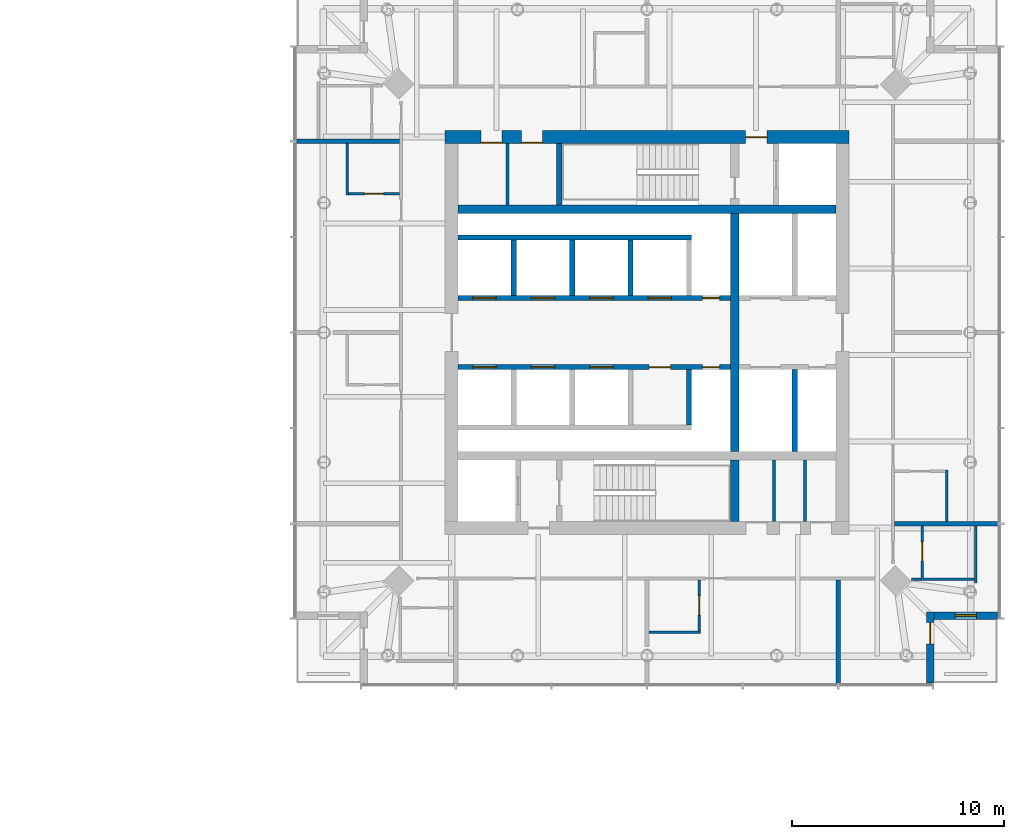
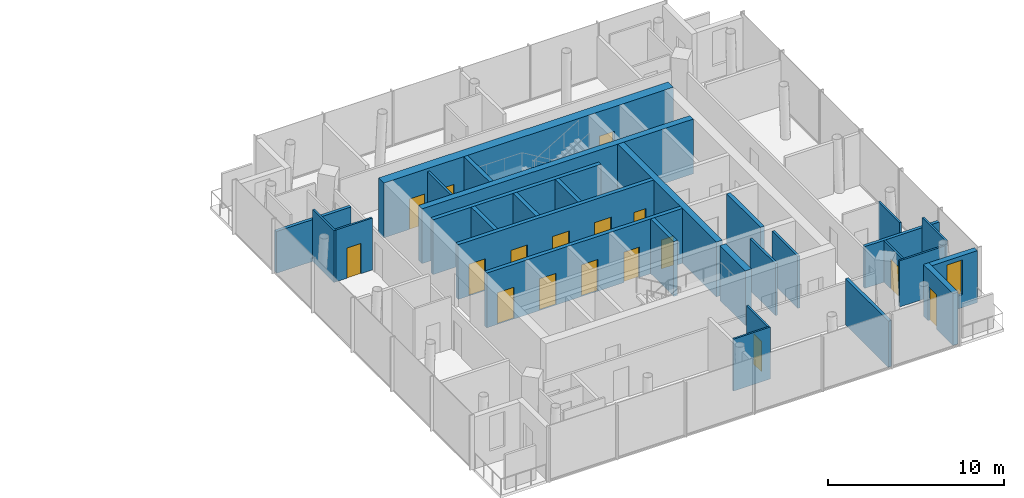
# One storey, part 14 of 20: 29 walls, 17 doors, 1 window, 18 openings.
"""IFC4 building model written with IfcOpenShell, lengths in metres."""

from ifc_helpers import new_model, si_unit, direction, frame, frame_2d, origin, place, context, subcontext, project, spatial, rectangle, extrude, material, layer, layer_set, type_object, element, fill, save


model = new_model("IFC4")

# Units and contexts
model_context = context("Model", 3, precision=1e-05, world=origin(), true_north=direction((0.0, 1.0)))
body_context = subcontext(model_context, "Body", "Model", "MODEL_VIEW")
ifc_project = project(units=[si_unit("LENGTHUNIT", "METRE"), si_unit("AREAUNIT", "SQUARE_METRE"), si_unit("VOLUMEUNIT", "CUBIC_METRE"), si_unit("PLANEANGLEUNIT", "RADIAN"), si_unit("MASSUNIT", "GRAM", prefix="KILO")], contexts=[model_context])

# Site, building, storey
site_placement = place(None, origin())
site = spatial("IfcSite", under=ifc_project, at=site_placement, CompositionType="ELEMENT")
building_placement = place(site_placement, origin())
building = spatial("IfcBuilding", under=site, at=building_placement, Name="Ostroluk Exchange", CompositionType="ELEMENT")
storey_placement = place(building_placement, frame((0.0, 0.0, 108.39990234375)))
storey = spatial("IfcBuildingStorey", under=building, at=storey_placement, Name="L27", CompositionType="ELEMENT", Elevation=108.39990234375)

# Walls
ifc_material_1 = material(Name="Concrete blockwork", Category="masonry")
ifc_layer_1 = layer(ifc_material_1, 0.14990234375)
ifc_layer_set_1 = layer_set([ifc_layer_1], Name="Blockwork plant room wall 150")
wall_type_1 = type_object("IfcWallType", Name="Blockwork plant room wall 150", PredefinedType="SOLIDWALL", material=ifc_layer_set_1)
for number, where, z_axis, x_axis, name in (
    (1, (122.97509765625, 37.10009765625, 0.0), (0.0, 0.0, 1.0), (0.0, 1.0, 0.0), "Core room wall"),
    (2, (124.4375, 37.10009765625, 0.0), (0.0, 0.0, 1.0), (0.0, 1.0, 0.0), "Core room wall"),
    (3, (110.425048828125, 52.0, 0.0), (0.0, 0.0, 1.0), (0.0, 1.0, 0.0), "Core room wall"),
):
    element("IfcWall", number, at=place(storey_placement, frame(where, z_axis=z_axis, x_axis=x_axis)), inside=storey, type_object=wall_type_1, Name=name, PredefinedType="SOLIDWALL", context=body_context, shape_type="SweptSolid", body=[
        extrude(rectangle(XDim=2.89990234375, YDim=0.14990234375, at=frame_2d((1.449951171875, 0.0))), origin(), (0.0, 0.0, 1.0), 3.60009765625),
    ])
ifc_material_2 = material(Name="Concrete C50/60", Category="concrete")
ifc_layer_2 = layer(ifc_material_2, 0.39990234375)
ifc_layer_set_2 = layer_set([ifc_layer_2], Name="Core cross wall 400 C50/60")
wall_type_2 = type_object("IfcWallType", Name="Core cross wall 400 C50/60", PredefinedType="SHEAR", material=ifc_layer_set_2)
wall_1_placement = place(storey_placement, frame((108.10009765625, 51.800048828125, 0.0), z_axis=(0.0, 0.0, 1.0), x_axis=(1.0, 0.0, 0.0)))
element("IfcWall", 4, at=wall_1_placement, inside=storey, type_object=wall_type_2, Name="T2 core wall XN", PredefinedType="SHEAR", context=body_context, shape_type="SweptSolid", body=[
    extrude(rectangle(XDim=17.7998046875, YDim=0.39990234375, at=frame_2d((8.89990234375, 0.0))), origin(), (0.0, 0.0, 1.0), 3.800048828125),
])
wall_2_placement = place(storey_placement, frame((121.1298828125, 37.10009765625, 0.0), z_axis=(0.0, 0.0, 1.0), x_axis=(0.0, 1.0, 0.0)))
element("IfcWall", 5, at=wall_2_placement, inside=storey, type_object=wall_type_2, Name="T2 core wall YE1", PredefinedType="SHEAR", context=body_context, shape_type="SweptSolid", body=[
    extrude(rectangle(XDim=2.89990234375, YDim=0.39990234375, at=frame_2d((1.449951171875, 0.0))), origin(), (0.0, 0.0, 1.0), 3.800048828125),
])
wall_3_placement = place(storey_placement, frame((121.1298828125, 40.39990234375, 0.0), z_axis=(0.0, 0.0, 1.0), x_axis=(0.0, 1.0, 0.0)))
element("IfcWall", 6, at=wall_3_placement, inside=storey, type_object=wall_type_2, Name="T2 core wall YE2", PredefinedType="SHEAR", context=body_context, shape_type="SweptSolid", body=[
    extrude(rectangle(XDim=11.2001953125, YDim=0.39990234375, at=frame_2d((5.60009765625, 0.0))), origin(), (0.0, 0.0, 1.0), 3.800048828125),
])
ifc_material_3 = material(Name="Concrete C40/50", Category="concrete")
ifc_layer_3 = layer(ifc_material_3, 0.25)
ifc_layer_set_3 = layer_set([ifc_layer_3], Name="Core shaft wall 250")
wall_type_3 = type_object("IfcWallType", Name="Core shaft wall 250", PredefinedType="SHEAR", material=ifc_layer_set_3)
wall_4_placement = place(storey_placement, frame((112.875, 52.0, 0.0), z_axis=(0.0, 0.0, 1.0), x_axis=(0.0, 1.0, 0.0)))
element("IfcWall", 7, at=wall_4_placement, inside=storey, type_object=wall_type_3, Name="Stair shaft wall", PredefinedType="SHEAR", context=body_context, shape_type="SweptSolid", body=[
    extrude(rectangle(XDim=2.89990234375, YDim=0.25, at=frame_2d((1.449951171875, 0.0))), origin(), (0.0, 0.0, 1.0), 3.800048828125),
])
for number, where, z_axis, x_axis, name in (
    (8, (110.72509765625, 47.75, 0.0), (0.0, 0.0, 1.0), (0.0, 1.0, 0.0), "Lift shaft wall"),
    (9, (113.47509765625, 47.75, 0.0), (0.0, 0.0, 1.0), (0.0, 1.0, 0.0), "Lift shaft wall"),
    (10, (116.22509765625, 47.75, 0.0), (0.0, 0.0, 1.0), (0.0, 1.0, 0.0), "Lift shaft wall"),
):
    element("IfcWall", number, at=place(storey_placement, frame(where, z_axis=z_axis, x_axis=x_axis)), inside=storey, type_object=wall_type_3, Name=name, PredefinedType="SHEAR", context=body_context, shape_type="SweptSolid", body=[
        extrude(rectangle(XDim=2.60009765625, YDim=0.25, at=frame_2d((1.300048828125, 0.0))), origin(), (0.0, 0.0, 1.0), 3.800048828125),
    ])
wall_5_placement = place(storey_placement, frame((108.10009765625, 50.47509765625, 0.0), z_axis=(0.0, 0.0, 1.0), x_axis=(1.0, 0.0, 0.0)))
element("IfcWall", 11, at=wall_5_placement, inside=storey, type_object=wall_type_3, Name="Lift shaft wall", PredefinedType="SHEAR", context=body_context, shape_type="SweptSolid", body=[
    extrude(rectangle(XDim=11.0, YDim=0.25, at=frame_2d((5.5, 0.0))), origin(), (0.0, 0.0, 1.0), 3.800048828125),
])

# Wall, openings, doors
wall_6_placement = place(storey_placement, frame((108.10009765625, 47.625, 0.0), z_axis=(0.0, 0.0, 1.0), x_axis=(1.0, 0.0, 0.0)))
wall_6 = element("IfcWall", 12, at=wall_6_placement, inside=storey, type_object=wall_type_3, Name="Lift shaft front wall", PredefinedType="SHEAR", context=body_context, shape_type="SweptSolid", body=[
    extrude(rectangle(XDim=12.829833984375, YDim=0.25, at=frame_2d((6.4150390625, 0.0))), origin(), (0.0, 0.0, 1.0), 3.800048828125),
])
opening_1_placement = place(wall_6_placement, frame((0.699951171875, 0.0, 0.0)))
opening_1 = element("IfcOpeningElement", 13, at=opening_1_placement, cuts=wall_6, Name="Opening LD", PredefinedType="OPENING", context=body_context, shape_type="SweptSolid", body=[
    extrude(rectangle(XDim=1.10009765625, YDim=2.199951171875, at=frame_2d((0.550048828125, 1.10009765625))), frame((0.0, 0.135009765625, 0.0), z_axis=(0.0, -1.0, 0.0), x_axis=(1.0, 0.0, 0.0)), (0.0, 0.0, 1.0), 0.27001953125),
])
opening_2_placement = place(wall_6_placement, frame((3.449951171875, 0.0, 0.0)))
opening_2 = element("IfcOpeningElement", 14, at=opening_2_placement, cuts=wall_6, Name="Opening LD", PredefinedType="OPENING", context=body_context, shape_type="SweptSolid", body=[
    extrude(rectangle(XDim=1.10009765625, YDim=2.199951171875, at=frame_2d((0.550048828125, 1.10009765625))), frame((0.0, 0.135009765625, 0.0), z_axis=(0.0, -1.0, 0.0), x_axis=(1.0, 0.0, 0.0)), (0.0, 0.0, 1.0), 0.27001953125),
])
opening_3_placement = place(wall_6_placement, frame((6.199951171875, 0.0, 0.0)))
opening_3 = element("IfcOpeningElement", 15, at=opening_3_placement, cuts=wall_6, Name="Opening LD", PredefinedType="OPENING", context=body_context, shape_type="SweptSolid", body=[
    extrude(rectangle(XDim=1.10009765625, YDim=2.199951171875, at=frame_2d((0.550048828125, 1.10009765625))), frame((0.0, 0.135009765625, 0.0), z_axis=(0.0, -1.0, 0.0), x_axis=(1.0, 0.0, 0.0)), (0.0, 0.0, 1.0), 0.27001953125),
])
opening_4_placement = place(wall_6_placement, frame((8.949951171875, 0.0, 0.0)))
opening_4 = element("IfcOpeningElement", 16, at=opening_4_placement, cuts=wall_6, Name="Opening LD", PredefinedType="OPENING", context=body_context, shape_type="SweptSolid", body=[
    extrude(rectangle(XDim=1.10009765625, YDim=2.199951171875, at=frame_2d((0.550048828125, 1.10009765625))), frame((0.0, 0.135009765625, 0.0), z_axis=(0.0, -1.0, 0.0), x_axis=(1.0, 0.0, 0.0)), (0.0, 0.0, 1.0), 0.27001953125),
])
opening_5_placement = place(wall_6_placement, frame((11.514892578125, 0.0, 0.0)))
opening_5 = element("IfcOpeningElement", 17, at=opening_5_placement, cuts=wall_6, Name="Opening RD60", PredefinedType="OPENING", context=body_context, shape_type="SweptSolid", body=[
    extrude(rectangle(XDim=0.800048828125, YDim=2.0, at=frame_2d((0.39990234375, 1.0))), frame((0.0, 0.135009765625, 0.0), z_axis=(0.0, -1.0, 0.0), x_axis=(1.0, 0.0, 0.0)), (0.0, 0.0, 1.0), 0.27001953125),
])
ifc_material_4 = material(Name="Stainless steel", Category="steel")
door_type_1 = type_object("IfcDoorType", Name="Lift landing door E 60 1100 x 2200", OperationType="DOUBLE_DOOR_SLIDING", PredefinedType="DOOR", material=ifc_material_4)
door_1_placement = place(opening_1_placement, origin())
door_1 = element("IfcDoor", 18, at=door_1_placement, inside=storey, type_object=door_type_1, Name="Lift HL1 landing door", OperationType="DOUBLE_DOOR_SLIDING", OverallHeight=2.199951171875, OverallWidth=1.10009765625, PredefinedType="DOOR", context=body_context, shape_type="SweptSolid", body=[
    extrude(rectangle(XDim=1.10009765625, YDim=2.199951171875, at=frame_2d((0.550048828125, 1.10009765625))), frame((0.0, 0.02490234375, 0.0), z_axis=(0.0, -1.0, 0.0), x_axis=(1.0, 0.0, 0.0)), (0.0, 0.0, 1.0), 0.050048828125),
])
fill(opening_1, door_1)
door_2_placement = place(opening_2_placement, origin())
door_2 = element("IfcDoor", 19, at=door_2_placement, inside=storey, type_object=door_type_1, Name="Lift HL2 landing door", OperationType="DOUBLE_DOOR_SLIDING", OverallHeight=2.199951171875, OverallWidth=1.10009765625, PredefinedType="DOOR", context=body_context, shape_type="SweptSolid", body=[
    extrude(rectangle(XDim=1.10009765625, YDim=2.199951171875, at=frame_2d((0.550048828125, 1.10009765625))), frame((0.0, 0.02490234375, 0.0), z_axis=(0.0, -1.0, 0.0), x_axis=(1.0, 0.0, 0.0)), (0.0, 0.0, 1.0), 0.050048828125),
])
fill(opening_2, door_2)
door_3_placement = place(opening_3_placement, origin())
door_3 = element("IfcDoor", 20, at=door_3_placement, inside=storey, type_object=door_type_1, Name="Lift HL3 landing door", OperationType="DOUBLE_DOOR_SLIDING", OverallHeight=2.199951171875, OverallWidth=1.10009765625, PredefinedType="DOOR", context=body_context, shape_type="SweptSolid", body=[
    extrude(rectangle(XDim=1.10009765625, YDim=2.199951171875, at=frame_2d((0.550048828125, 1.10009765625))), frame((0.0, 0.02490234375, 0.0), z_axis=(0.0, -1.0, 0.0), x_axis=(1.0, 0.0, 0.0)), (0.0, 0.0, 1.0), 0.050048828125),
])
fill(opening_3, door_3)
door_4_placement = place(opening_4_placement, origin())
door_4 = element("IfcDoor", 21, at=door_4_placement, inside=storey, type_object=door_type_1, Name="Lift HL4 landing door", OperationType="DOUBLE_DOOR_SLIDING", OverallHeight=2.199951171875, OverallWidth=1.10009765625, PredefinedType="DOOR", context=body_context, shape_type="SweptSolid", body=[
    extrude(rectangle(XDim=1.10009765625, YDim=2.199951171875, at=frame_2d((0.550048828125, 1.10009765625))), frame((0.0, 0.02490234375, 0.0), z_axis=(0.0, -1.0, 0.0), x_axis=(1.0, 0.0, 0.0)), (0.0, 0.0, 1.0), 0.050048828125),
])
fill(opening_4, door_4)
ifc_material_5 = material(Name="Steel", Category="steel")
door_type_2 = type_object("IfcDoorType", Name="Riser access door EI 60 800 x 2000", OperationType="SINGLE_SWING_LEFT", PredefinedType="DOOR", material=ifc_material_5)
door_5_placement = place(opening_5_placement, origin())
door_5 = element("IfcDoor", 22, at=door_5_placement, inside=storey, type_object=door_type_2, Name="Riser access door", OperationType="SINGLE_SWING_RIGHT", OverallHeight=2.0, OverallWidth=0.800048828125, PredefinedType="DOOR", context=body_context, shape_type="SweptSolid", body=[
    extrude(rectangle(XDim=0.800048828125, YDim=2.0, at=frame_2d((0.39990234375, 1.0))), frame((0.0, 0.02490234375, 0.0), z_axis=(0.0, -1.0, 0.0), x_axis=(1.0, 0.0, 0.0)), (0.0, 0.0, 1.0), 0.050048828125),
])
fill(opening_5, door_5)

# Wall
wall_7_placement = place(storey_placement, frame((118.97509765625, 44.25, 0.0), z_axis=(0.0, 0.0, 1.0), x_axis=(0.0, -1.0, 0.0)))
element("IfcWall", 23, at=wall_7_placement, inside=storey, type_object=wall_type_3, Name="Lift shaft wall", PredefinedType="SHEAR", context=body_context, shape_type="SweptSolid", body=[
    extrude(rectangle(XDim=2.60009765625, YDim=0.25, at=frame_2d((1.300048828125, 0.0))), origin(), (0.0, 0.0, 1.0), 3.800048828125),
])

# Wall, openings, doors
wall_8_placement = place(storey_placement, frame((108.10009765625, 44.375, 0.0), z_axis=(0.0, 0.0, 1.0), x_axis=(1.0, 0.0, 0.0)))
wall_8 = element("IfcWall", 24, at=wall_8_placement, inside=storey, type_object=wall_type_3, Name="Lift shaft front wall", PredefinedType="SHEAR", context=body_context, shape_type="SweptSolid", body=[
    extrude(rectangle(XDim=12.829833984375, YDim=0.25, at=frame_2d((6.4150390625, 0.0))), origin(), (0.0, 0.0, 1.0), 3.800048828125),
])
opening_6_placement = place(wall_8_placement, frame((0.699951171875, 0.0, 0.0)))
opening_6 = element("IfcOpeningElement", 25, at=opening_6_placement, cuts=wall_8, Name="Opening LD", PredefinedType="OPENING", context=body_context, shape_type="SweptSolid", body=[
    extrude(rectangle(XDim=1.10009765625, YDim=2.199951171875, at=frame_2d((0.550048828125, 1.10009765625))), frame((0.0, 0.135009765625, 0.0), z_axis=(0.0, -1.0, 0.0), x_axis=(1.0, 0.0, 0.0)), (0.0, 0.0, 1.0), 0.27001953125),
])
opening_7_placement = place(wall_8_placement, frame((3.449951171875, 0.0, 0.0)))
opening_7 = element("IfcOpeningElement", 26, at=opening_7_placement, cuts=wall_8, Name="Opening LD", PredefinedType="OPENING", context=body_context, shape_type="SweptSolid", body=[
    extrude(rectangle(XDim=1.10009765625, YDim=2.199951171875, at=frame_2d((0.550048828125, 1.10009765625))), frame((0.0, 0.135009765625, 0.0), z_axis=(0.0, -1.0, 0.0), x_axis=(1.0, 0.0, 0.0)), (0.0, 0.0, 1.0), 0.27001953125),
])
opening_8_placement = place(wall_8_placement, frame((6.199951171875, 0.0, 0.0)))
opening_8 = element("IfcOpeningElement", 27, at=opening_8_placement, cuts=wall_8, Name="Opening LD", PredefinedType="OPENING", context=body_context, shape_type="SweptSolid", body=[
    extrude(rectangle(XDim=1.10009765625, YDim=2.199951171875, at=frame_2d((0.550048828125, 1.10009765625))), frame((0.0, 0.135009765625, 0.0), z_axis=(0.0, -1.0, 0.0), x_axis=(1.0, 0.0, 0.0)), (0.0, 0.0, 1.0), 0.27001953125),
])
opening_9_placement = place(wall_8_placement, frame((9.0, 0.0, 0.0)))
opening_9 = element("IfcOpeningElement", 28, at=opening_9_placement, cuts=wall_8, Name="Opening FD60", PredefinedType="OPENING", context=body_context, shape_type="SweptSolid", body=[
    extrude(rectangle(XDim=1.0, YDim=2.10009765625, at=frame_2d((0.5, 1.050048828125))), frame((0.0, 0.135009765625, 0.0), z_axis=(0.0, -1.0, 0.0), x_axis=(1.0, 0.0, 0.0)), (0.0, 0.0, 1.0), 0.27001953125),
])
opening_10_placement = place(wall_8_placement, frame((11.514892578125, 0.0, 0.0)))
opening_10 = element("IfcOpeningElement", 29, at=opening_10_placement, cuts=wall_8, Name="Opening RD60", PredefinedType="OPENING", context=body_context, shape_type="SweptSolid", body=[
    extrude(rectangle(XDim=0.800048828125, YDim=2.0, at=frame_2d((0.39990234375, 1.0))), frame((0.0, 0.135009765625, 0.0), z_axis=(0.0, -1.0, 0.0), x_axis=(1.0, 0.0, 0.0)), (0.0, 0.0, 1.0), 0.27001953125),
])
ifc_material_6 = material(Name="Steel", Category="steel")
door_type_3 = type_object("IfcDoorType", Name="Fire door EI 60 1000 x 2100", OperationType="SINGLE_SWING_LEFT", PredefinedType="DOOR", material=ifc_material_6)
door_6_placement = place(opening_9_placement, origin())
door_6 = element("IfcDoor", 30, at=door_6_placement, inside=storey, type_object=door_type_3, Name="Core room door", OperationType="SINGLE_SWING_RIGHT", OverallHeight=2.10009765625, OverallWidth=1.0, PredefinedType="DOOR", context=body_context, shape_type="SweptSolid", body=[
    extrude(rectangle(XDim=1.0, YDim=2.10009765625, at=frame_2d((0.5, 1.050048828125))), frame((0.0, 0.02490234375, 0.0), z_axis=(0.0, -1.0, 0.0), x_axis=(1.0, 0.0, 0.0)), (0.0, 0.0, 1.0), 0.050048828125),
])
fill(opening_9, door_6)
door_7_placement = place(opening_6_placement, origin())
door_7 = element("IfcDoor", 31, at=door_7_placement, inside=storey, type_object=door_type_1, Name="Lift HL5 landing door", OperationType="DOUBLE_DOOR_SLIDING", OverallHeight=2.199951171875, OverallWidth=1.10009765625, PredefinedType="DOOR", context=body_context, shape_type="SweptSolid", body=[
    extrude(rectangle(XDim=1.10009765625, YDim=2.199951171875, at=frame_2d((0.550048828125, 1.10009765625))), frame((0.0, 0.02490234375, 0.0), z_axis=(0.0, -1.0, 0.0), x_axis=(1.0, 0.0, 0.0)), (0.0, 0.0, 1.0), 0.050048828125),
])
fill(opening_6, door_7)
door_8_placement = place(opening_7_placement, origin())
door_8 = element("IfcDoor", 32, at=door_8_placement, inside=storey, type_object=door_type_1, Name="Lift HL6 landing door", OperationType="DOUBLE_DOOR_SLIDING", OverallHeight=2.199951171875, OverallWidth=1.10009765625, PredefinedType="DOOR", context=body_context, shape_type="SweptSolid", body=[
    extrude(rectangle(XDim=1.10009765625, YDim=2.199951171875, at=frame_2d((0.550048828125, 1.10009765625))), frame((0.0, 0.02490234375, 0.0), z_axis=(0.0, -1.0, 0.0), x_axis=(1.0, 0.0, 0.0)), (0.0, 0.0, 1.0), 0.050048828125),
])
fill(opening_7, door_8)
door_9_placement = place(opening_8_placement, origin())
door_9 = element("IfcDoor", 33, at=door_9_placement, inside=storey, type_object=door_type_1, Name="Lift HL7 landing door", OperationType="DOUBLE_DOOR_SLIDING", OverallHeight=2.199951171875, OverallWidth=1.10009765625, PredefinedType="DOOR", context=body_context, shape_type="SweptSolid", body=[
    extrude(rectangle(XDim=1.10009765625, YDim=2.199951171875, at=frame_2d((0.550048828125, 1.10009765625))), frame((0.0, 0.02490234375, 0.0), z_axis=(0.0, -1.0, 0.0), x_axis=(1.0, 0.0, 0.0)), (0.0, 0.0, 1.0), 0.050048828125),
])
fill(opening_8, door_9)
door_10_placement = place(opening_10_placement, origin())
door_10 = element("IfcDoor", 34, at=door_10_placement, inside=storey, type_object=door_type_2, Name="Riser access door", OperationType="SINGLE_SWING_RIGHT", OverallHeight=2.0, OverallWidth=0.800048828125, PredefinedType="DOOR", context=body_context, shape_type="SweptSolid", body=[
    extrude(rectangle(XDim=0.800048828125, YDim=2.0, at=frame_2d((0.39990234375, 1.0))), frame((0.0, 0.02490234375, 0.0), z_axis=(0.0, -1.0, 0.0), x_axis=(1.0, 0.0, 0.0)), (0.0, 0.0, 1.0), 0.050048828125),
])
fill(opening_10, door_10)

# Wall
wall_9_placement = place(storey_placement, frame((123.955078125, 44.25, 0.0), z_axis=(0.0, 0.0, 1.0), x_axis=(0.0, -1.0, 0.0)))
element("IfcWall", 35, at=wall_9_placement, inside=storey, type_object=wall_type_3, Name="Lift shaft wall", PredefinedType="SHEAR", context=body_context, shape_type="SweptSolid", body=[
    extrude(rectangle(XDim=3.85009765625, YDim=0.25, at=frame_2d((1.925048828125, 0.0))), origin(), (0.0, 0.0, 1.0), 3.800048828125),
])

# Wall, openings, doors
ifc_material_7 = material(Name="Concrete C50/60", Category="concrete")
ifc_layer_4 = layer(ifc_material_7, 0.60009765625)
ifc_layer_set_4 = layer_set([ifc_layer_4], Name="Core wall 600 C50/60")
wall_type_4 = type_object("IfcWallType", Name="Core wall 600 C50/60", PredefinedType="SHEAR", material=ifc_layer_set_4)
wall_10_placement = place(storey_placement, frame((107.5, 55.199951171875, 0.0), z_axis=(0.0, 0.0, 1.0), x_axis=(1.0, 0.0, 0.0)))
wall_10 = element("IfcWall", 36, at=wall_10_placement, inside=storey, type_object=wall_type_4, Name="T2 core wall N", PredefinedType="SHEAR", context=body_context, shape_type="SweptSolid", body=[
    extrude(rectangle(XDim=19.0, YDim=0.60009765625, at=frame_2d((9.5, 0.0))), origin(), (0.0, 0.0, 1.0), 3.800048828125),
])
opening_11_placement = place(wall_10_placement, frame((14.139892578125, 0.0, 0.0)))
opening_11 = element("IfcOpeningElement", 37, at=opening_11_placement, cuts=wall_10, Name="Opening FD60", PredefinedType="OPENING", context=body_context, shape_type="SweptSolid", body=[
    extrude(rectangle(XDim=1.0, YDim=2.10009765625, at=frame_2d((0.5, 1.050048828125))), frame((0.0, 0.31005859375, 0.0), z_axis=(0.0, -1.0, 0.0), x_axis=(1.0, 0.0, 0.0)), (0.0, 0.0, 1.0), 0.6201171875),
])
opening_12_placement = place(wall_10_placement, frame((1.675048828125, 0.0, 0.0)))
opening_12 = element("IfcOpeningElement", 38, at=opening_12_placement, cuts=wall_10, Name="Opening FD60", PredefinedType="OPENING", context=body_context, shape_type="SweptSolid", body=[
    extrude(rectangle(XDim=1.0, YDim=2.10009765625, at=frame_2d((0.5, 1.050048828125))), frame((0.0, 0.31005859375, 0.0), z_axis=(0.0, -1.0, 0.0), x_axis=(1.0, 0.0, 0.0)), (0.0, 0.0, 1.0), 0.6201171875),
])
opening_13_placement = place(wall_10_placement, frame((3.58740234375, 0.0, 0.0)))
opening_13 = element("IfcOpeningElement", 39, at=opening_13_placement, cuts=wall_10, Name="Opening FD60", PredefinedType="OPENING", context=body_context, shape_type="SweptSolid", body=[
    extrude(rectangle(XDim=1.0, YDim=2.10009765625, at=frame_2d((0.5, 1.050048828125))), frame((0.0, 0.31005859375, 0.0), z_axis=(0.0, -1.0, 0.0), x_axis=(1.0, 0.0, 0.0)), (0.0, 0.0, 1.0), 0.6201171875),
])
door_11_placement = place(opening_11_placement, origin())
door_11 = element("IfcDoor", 40, at=door_11_placement, inside=storey, type_object=door_type_3, Name="Firefighting lobby door", OperationType="SINGLE_SWING_RIGHT", OverallHeight=2.10009765625, OverallWidth=1.0, PredefinedType="DOOR", context=body_context, shape_type="SweptSolid", body=[
    extrude(rectangle(XDim=1.0, YDim=2.10009765625, at=frame_2d((0.5, 1.050048828125))), frame((0.0, 0.02490234375, 0.0), z_axis=(0.0, -1.0, 0.0), x_axis=(1.0, 0.0, 0.0)), (0.0, 0.0, 1.0), 0.050048828125),
])
fill(opening_11, door_11)
door_12_placement = place(opening_12_placement, origin())
door_12 = element("IfcDoor", 41, at=door_12_placement, inside=storey, type_object=door_type_3, Name="Guest pantry door", OperationType="SINGLE_SWING_LEFT", OverallHeight=2.10009765625, OverallWidth=1.0, PredefinedType="DOOR", context=body_context, shape_type="SweptSolid", body=[
    extrude(rectangle(XDim=1.0, YDim=2.10009765625, at=frame_2d((0.5, 1.050048828125))), frame((0.0, -0.23974609375, 0.0), z_axis=(0.0, -1.0, 0.0), x_axis=(1.0, 0.0, 0.0)), (0.0, 0.0, 1.0), 0.050048828125),
])
fill(opening_12, door_12)
door_13_placement = place(opening_13_placement, origin())
door_13 = element("IfcDoor", 42, at=door_13_placement, inside=storey, type_object=door_type_3, Name="Ice and vending room door", OperationType="SINGLE_SWING_LEFT", OverallHeight=2.10009765625, OverallWidth=1.0, PredefinedType="DOOR", context=body_context, shape_type="SweptSolid", body=[
    extrude(rectangle(XDim=1.0, YDim=2.10009765625, at=frame_2d((0.5, 1.050048828125))), frame((0.0, -0.23974609375, 0.0), z_axis=(0.0, -1.0, 0.0), x_axis=(1.0, 0.0, 0.0)), (0.0, 0.0, 1.0), 0.050048828125),
])
fill(opening_13, door_13)

# Wall, opening, door
ifc_material_8 = material(Name="Limestone", Category="masonry")
ifc_layer_5 = layer(ifc_material_8, 0.35009765625)
ifc_layer_set_5 = layer_set([ifc_layer_5], Name="Limestone facade wall 350")
wall_type_5 = type_object("IfcWallType", Name="Limestone facade wall 350", PredefinedType="SOLIDWALL", material=ifc_layer_set_5)
wall_11_placement = place(storey_placement, frame((130.324951171875, 29.5, 0.0), z_axis=(0.0, 0.0, 1.0), x_axis=(0.0, 1.0, 0.0)))
wall_11 = element("IfcWall", 43, at=wall_11_placement, inside=storey, type_object=wall_type_5, Name="Hotel tower SE corner wall L27 a", PredefinedType="SOLIDWALL", context=body_context, shape_type="SweptSolid", body=[
    extrude(rectangle(XDim=3.35009765625, YDim=0.35009765625, at=frame_2d((1.675048828125, 0.0))), origin(), (0.0, 0.0, 1.0), 3.60009765625),
])
opening_14_placement = place(wall_11_placement, frame((1.85009765625, 0.0, 0.0)))
opening_14 = element("IfcOpeningElement", 44, at=opening_14_placement, cuts=wall_11, Name="Opening D-B1", PredefinedType="OPENING", context=body_context, shape_type="SweptSolid", body=[
    extrude(rectangle(XDim=1.0, YDim=2.39990234375, at=frame_2d((0.5, 1.199951171875))), frame((0.0, 0.18505859375, 0.0), z_axis=(0.0, -1.0, 0.0), x_axis=(1.0, 0.0, 0.0)), (0.0, 0.0, 1.0), 0.3701171875),
])
ifc_material_9 = material(Name="Bronze framed glazed door", Category="aluminium")
door_type_4 = type_object("IfcDoorType", Name="Balcony door 1000 x 2400", OperationType="SINGLE_SWING_LEFT", PredefinedType="DOOR", material=ifc_material_9)
door_14_placement = place(opening_14_placement, origin())
door_14 = element("IfcDoor", 45, at=door_14_placement, inside=storey, type_object=door_type_4, Name="Hotel tower SE balcony door L27", OperationType="SINGLE_SWING_RIGHT", OverallHeight=2.39990234375, OverallWidth=1.0, PredefinedType="DOOR", context=body_context, shape_type="SweptSolid", body=[
    extrude(rectangle(XDim=1.0, YDim=2.39990234375, at=frame_2d((0.5, 1.199951171875))), frame((0.0, 0.02490234375, 0.0), z_axis=(0.0, -1.0, 0.0), x_axis=(1.0, 0.0, 0.0)), (0.0, 0.0, 1.0), 0.050048828125),
])
fill(opening_14, door_14)

# Wall, opening, window
wall_12_placement = place(storey_placement, frame((130.5, 32.675048828125, 0.0), z_axis=(0.0, 0.0, 1.0), x_axis=(1.0, 0.0, 0.0)))
wall_12 = element("IfcWall", 46, at=wall_12_placement, inside=storey, type_object=wall_type_5, Name="Hotel tower SE corner wall L27 b", PredefinedType="SOLIDWALL", context=body_context, shape_type="SweptSolid", body=[
    extrude(rectangle(XDim=3.0, YDim=0.35009765625, at=frame_2d((1.5, 0.0))), origin(), (0.0, 0.0, 1.0), 3.60009765625),
])
opening_15_placement = place(wall_12_placement, frame((1.0, 0.0, 0.89990234375)))
opening_15 = element("IfcOpeningElement", 47, at=opening_15_placement, cuts=wall_12, Name="Opening WN-L3", PredefinedType="OPENING", context=body_context, shape_type="SweptSolid", body=[
    extrude(rectangle(XDim=1.0, YDim=2.39990234375, at=frame_2d((0.5, 1.199951171875))), frame((0.0, 0.18505859375, 0.0), z_axis=(0.0, -1.0, 0.0), x_axis=(1.0, 0.0, 0.0)), (0.0, 0.0, 1.0), 0.3701171875),
])
ifc_material_10 = material(Name="Laminated clear glass", Category="glass")
window_type = type_object("IfcWindowType", Name="Hotel lancet window 1000 x 2400", PartitioningType="SINGLE_PANEL", PredefinedType="WINDOW", material=ifc_material_10)
window_placement = place(opening_15_placement, origin())
window = element("IfcWindow", 48, at=window_placement, inside=storey, type_object=window_type, Name="Hotel tower SE lancet window L27", OverallHeight=2.39990234375, OverallWidth=1.0, PartitioningType="SINGLE_PANEL", PredefinedType="WINDOW", context=body_context, shape_type="SweptSolid", body=[
    extrude(rectangle(XDim=1.0, YDim=2.39990234375, at=frame_2d((0.5, 1.199951171875))), frame((0.0, 0.030029296875, 0.0), z_axis=(0.0, -1.0, 0.0), x_axis=(1.0, 0.0, 0.0)), (0.0, 0.0, 1.0), 0.06005859375),
])
fill(opening_15, window)

# Wall, opening, door
ifc_material_11 = material(Name="Gypsum plasterboard partition, moisture resistant", Category="gypsum")
ifc_layer_6 = layer(ifc_material_11, 0.1201171875)
ifc_layer_set_6 = layer_set([ifc_layer_6], Name="Plasterboard en-suite wall 120")
wall_type_6 = type_object("IfcWallType", Name="Plasterboard en-suite wall 120", PredefinedType="PARTITIONING", material=ifc_layer_set_6)
wall_13_placement = place(storey_placement, frame((129.949951171875, 36.89990234375, 0.0), z_axis=(0.0, 0.0, 1.0), x_axis=(0.0, -1.0, 0.0)))
wall_13 = element("IfcWall", 49, at=wall_13_placement, inside=storey, type_object=wall_type_6, Name="En-suite wall", PredefinedType="PARTITIONING", context=body_context, shape_type="SweptSolid", body=[
    extrude(rectangle(XDim=2.579833984375, YDim=0.1201171875, at=frame_2d((1.2900390625, 0.0))), origin(), (0.0, 0.0, 1.0), 2.900146484375),
])
opening_16_placement = place(wall_13_placement, frame((0.75, 0.0, 0.0)))
opening_16 = element("IfcOpeningElement", 50, at=opening_16_placement, cuts=wall_13, Name="Opening D-02", PredefinedType="OPENING", context=body_context, shape_type="SweptSolid", body=[
    extrude(rectangle(XDim=0.89990234375, YDim=2.10009765625, at=frame_2d((0.449951171875, 1.050048828125))), frame((0.0, 0.070068359375, 0.0), z_axis=(0.0, -1.0, 0.0), x_axis=(1.0, 0.0, 0.0)), (0.0, 0.0, 1.0), 0.14013671875),
])
ifc_material_12 = material(Name="Timber", Category="wood")
door_type_5 = type_object("IfcDoorType", Name="En-suite door 900 x 2100", OperationType="SINGLE_SWING_LEFT", PredefinedType="DOOR", material=ifc_material_12)
door_15_placement = place(opening_16_placement, origin())
door_15 = element("IfcDoor", 51, at=door_15_placement, inside=storey, type_object=door_type_5, Name="En-suite door 2701", OperationType="SINGLE_SWING_LEFT", OverallHeight=2.10009765625, OverallWidth=0.89990234375, PredefinedType="DOOR", context=body_context, shape_type="SweptSolid", body=[
    extrude(rectangle(XDim=0.89990234375, YDim=2.10009765625, at=frame_2d((0.449951171875, 1.050048828125))), frame((0.0, 0.02490234375, 0.0), z_axis=(0.0, -1.0, 0.0), x_axis=(1.0, 0.0, 0.0)), (0.0, 0.0, 1.0), 0.050048828125),
])
fill(opening_16, door_15)

# Walls
wall_14_placement = place(storey_placement, frame((132.469970703125, 36.89990234375, 0.0), z_axis=(0.0, 0.0, 1.0), x_axis=(0.0, -1.0, 0.0)))
element("IfcWall", 52, at=wall_14_placement, inside=storey, type_object=wall_type_6, Name="En-suite wall", PredefinedType="PARTITIONING", context=body_context, shape_type="SweptSolid", body=[
    extrude(rectangle(XDim=2.689453125, YDim=0.1201171875, at=frame_2d((1.3447265625, 0.0))), origin(), (0.0, 0.0, 1.0), 3.60009765625),
])
wall_15_placement = place(storey_placement, frame((129.43994140625, 34.3798828125, 0.0), z_axis=(0.0, 0.0, 1.0), x_axis=(1.0, 0.0, 0.0)))
element("IfcWall", 53, at=wall_15_placement, inside=storey, type_object=wall_type_6, Name="En-suite wall", PredefinedType="PARTITIONING", context=body_context, shape_type="SweptSolid", body=[
    extrude(rectangle(XDim=2.969970703125, YDim=0.1201171875, at=frame_2d((1.48486328125, 0.0))), origin(), (0.0, 0.0, 1.0), 3.2001953125),
])
for number, where, z_axis, x_axis, name in (
    (54, (131.110107421875, 37.10009765625, 0.0), (0.0, 0.0, 1.0), (0.0, 1.0, 0.0), "En-suite wall"),
    (55, (102.889892578125, 54.89990234375, 0.0), (0.0, 0.0, 1.0), (0.0, -1.0, 0.0), "En-suite wall"),
):
    element("IfcWall", number, at=place(storey_placement, frame(where, z_axis=z_axis, x_axis=x_axis)), inside=storey, type_object=wall_type_6, Name=name, PredefinedType="PARTITIONING", context=body_context, shape_type="SweptSolid", body=[
        extrude(rectangle(XDim=2.419921875, YDim=0.1201171875, at=frame_2d((1.2099609375, 0.0))), origin(), (0.0, 0.0, 1.0), 3.60009765625),
    ])

# Wall, opening, door
wall_16_placement = place(storey_placement, frame((105.35009765625, 52.5400390625, 0.0), z_axis=(0.0, 0.0, 1.0), x_axis=(-1.0, 0.0, 0.0)))
wall_16 = element("IfcWall", 56, at=wall_16_placement, inside=storey, type_object=wall_type_6, Name="En-suite wall", PredefinedType="PARTITIONING", context=body_context, shape_type="SweptSolid", body=[
    extrude(rectangle(XDim=2.400146484375, YDim=0.1201171875, at=frame_2d((1.2001953125, 0.0))), origin(), (0.0, 0.0, 1.0), 3.60009765625),
])
opening_17_placement = place(wall_16_placement, frame((0.75, 0.0, 0.0)))
opening_17 = element("IfcOpeningElement", 57, at=opening_17_placement, cuts=wall_16, Name="Opening D-02", PredefinedType="OPENING", context=body_context, shape_type="SweptSolid", body=[
    extrude(rectangle(XDim=0.89990234375, YDim=2.10009765625, at=frame_2d((0.449951171875, 1.050048828125))), frame((0.0, 0.070068359375, 0.0), z_axis=(0.0, -1.0, 0.0), x_axis=(1.0, 0.0, 0.0)), (0.0, 0.0, 1.0), 0.14013671875),
])
door_16_placement = place(opening_17_placement, origin())
door_16 = element("IfcDoor", 58, at=door_16_placement, inside=storey, type_object=door_type_5, Name="En-suite door 2706", OperationType="SINGLE_SWING_RIGHT", OverallHeight=2.10009765625, OverallWidth=0.89990234375, PredefinedType="DOOR", context=body_context, shape_type="SweptSolid", body=[
    extrude(rectangle(XDim=0.89990234375, YDim=2.10009765625, at=frame_2d((0.449951171875, 1.050048828125))), frame((0.0, 0.02490234375, 0.0), z_axis=(0.0, -1.0, 0.0), x_axis=(1.0, 0.0, 0.0)), (0.0, 0.0, 1.0), 0.050048828125),
])
fill(opening_17, door_16)

# Wall
wall_17_placement = place(storey_placement, frame((117.10009765625, 31.889892578125, 0.0), z_axis=(0.0, 0.0, 1.0), x_axis=(1.0, 0.0, 0.0)))
element("IfcWall", 59, at=wall_17_placement, inside=storey, type_object=wall_type_6, Name="En-suite wall", PredefinedType="PARTITIONING", context=body_context, shape_type="SweptSolid", body=[
    extrude(rectangle(XDim=2.419921875, YDim=0.1201171875, at=frame_2d((1.2099609375, 0.0))), origin(), (0.0, 0.0, 1.0), 3.60009765625),
])

# Wall, opening, door
wall_18_placement = place(storey_placement, frame((119.4599609375, 34.35009765625, 0.0), z_axis=(0.0, 0.0, 1.0), x_axis=(0.0, -1.0, 0.0)))
wall_18 = element("IfcWall", 60, at=wall_18_placement, inside=storey, type_object=wall_type_6, Name="En-suite wall", PredefinedType="PARTITIONING", context=body_context, shape_type="SweptSolid", body=[
    extrude(rectangle(XDim=2.400146484375, YDim=0.1201171875, at=frame_2d((1.2001953125, 0.0))), origin(), (0.0, 0.0, 1.0), 3.60009765625),
])
opening_18_placement = place(wall_18_placement, frame((0.75, 0.0, 0.0)))
opening_18 = element("IfcOpeningElement", 61, at=opening_18_placement, cuts=wall_18, Name="Opening D-02", PredefinedType="OPENING", context=body_context, shape_type="SweptSolid", body=[
    extrude(rectangle(XDim=0.89990234375, YDim=2.10009765625, at=frame_2d((0.449951171875, 1.050048828125))), frame((0.0, 0.070068359375, 0.0), z_axis=(0.0, -1.0, 0.0), x_axis=(1.0, 0.0, 0.0)), (0.0, 0.0, 1.0), 0.14013671875),
])
door_17_placement = place(opening_18_placement, origin())
door_17 = element("IfcDoor", 62, at=door_17_placement, inside=storey, type_object=door_type_5, Name="En-suite door 2709", OperationType="SINGLE_SWING_LEFT", OverallHeight=2.10009765625, OverallWidth=0.89990234375, PredefinedType="DOOR", context=body_context, shape_type="SweptSolid", body=[
    extrude(rectangle(XDim=0.89990234375, YDim=2.10009765625, at=frame_2d((0.449951171875, 1.050048828125))), frame((0.0, 0.02490234375, 0.0), z_axis=(0.0, -1.0, 0.0), x_axis=(1.0, 0.0, 0.0)), (0.0, 0.0, 1.0), 0.050048828125),
])
fill(opening_18, door_17)

# Walls
ifc_material_13 = material(Name="Gypsum plasterboard partition", Category="gypsum")
ifc_layer_7 = layer(ifc_material_13, 0.199951171875)
ifc_layer_set_7 = layer_set([ifc_layer_7], Name="Plasterboard party wall 200")
wall_type_7 = type_object("IfcWallType", Name="Plasterboard party wall 200", PredefinedType="PARTITIONING", material=ifc_layer_set_7)
for number, where, z_axis, x_axis, name in (
    (63, (128.64990234375, 37.0, 0.0), (0.0, 0.0, 1.0), (1.0, 0.0, 0.0), "Party wall"),
    (64, (105.35009765625, 55.0, 0.0), (0.0, 0.0, 1.0), (-1.0, 0.0, 0.0), "Party wall"),
):
    element("IfcWall", number, at=place(storey_placement, frame(where, z_axis=z_axis, x_axis=x_axis)), inside=storey, type_object=wall_type_7, Name=name, PredefinedType="PARTITIONING", context=body_context, shape_type="SweptSolid", body=[
        extrude(rectangle(XDim=4.89013671875, YDim=0.199951171875, at=frame_2d((2.445068359375, 0.0))), origin(), (0.0, 0.0, 1.0), 2.900146484375),
    ])
wall_19_placement = place(storey_placement, frame((126.0, 34.35009765625, 0.0), z_axis=(0.0, 0.0, 1.0), x_axis=(0.0, -1.0, 0.0)))
element("IfcWall", 65, at=wall_19_placement, inside=storey, type_object=wall_type_7, Name="Party wall", PredefinedType="PARTITIONING", context=body_context, shape_type="SweptSolid", body=[
    extrude(rectangle(XDim=4.89013671875, YDim=0.199951171875, at=frame_2d((2.445068359375, 0.0))), origin(), (0.0, 0.0, 1.0), 3.2001953125),
])

save(model, "model.ifc")
